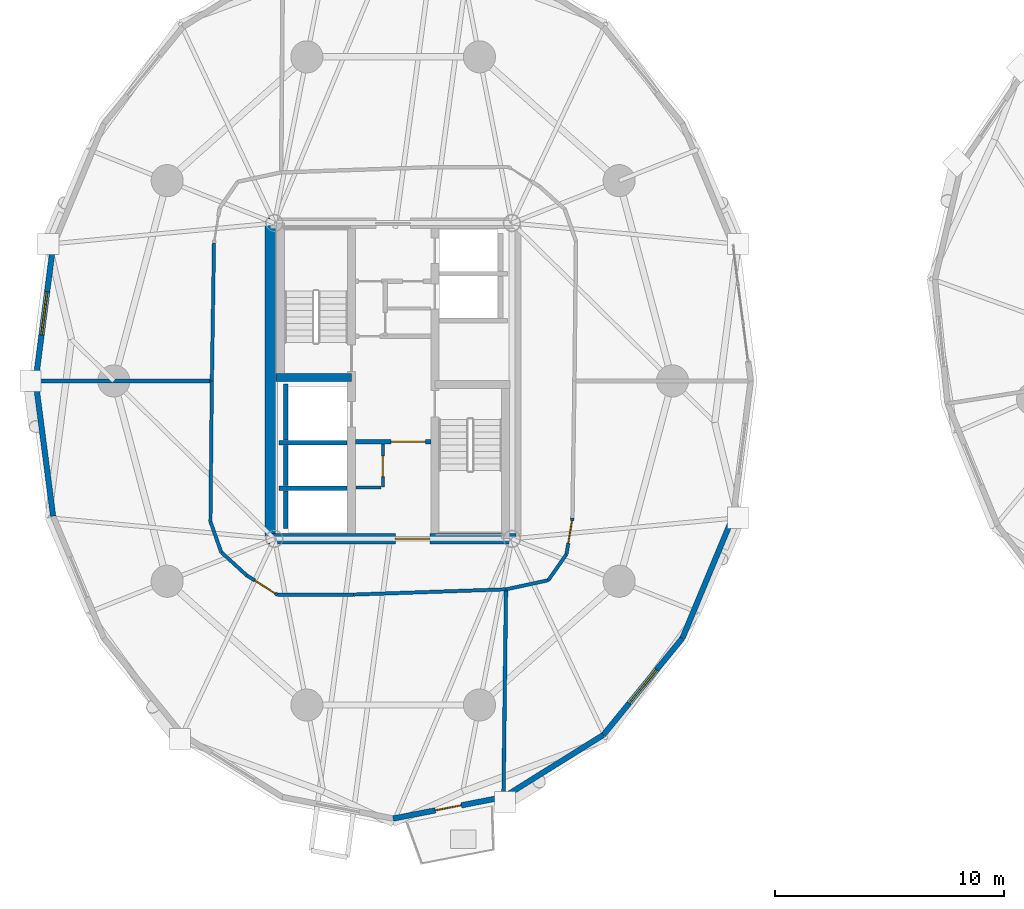
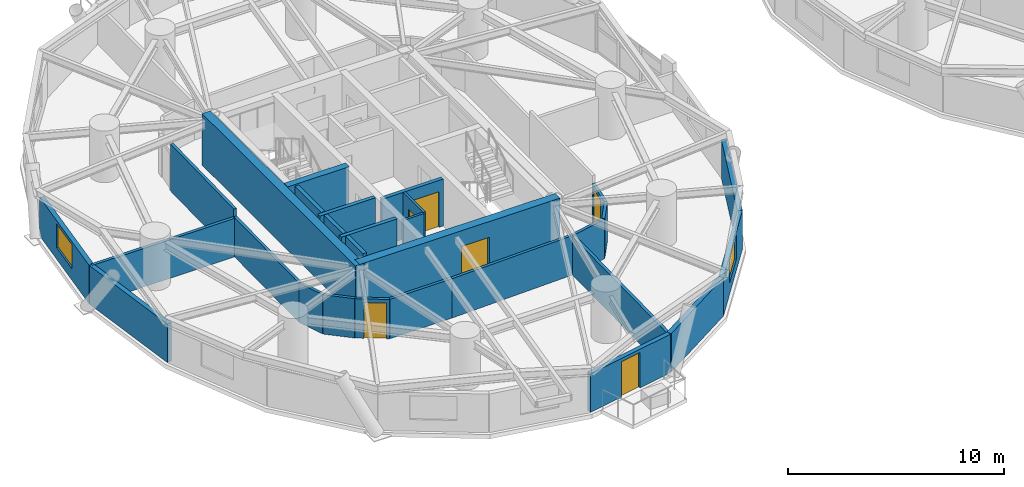
# One storey, part 10 of 18: 29 walls, 6 doors, 2 windows, 8 openings.
"""IFC4 building model written with IfcOpenShell, lengths in metres."""

from ifc_helpers import new_model, si_unit, direction, frame, frame_2d, origin, place, context, subcontext, project, spatial, rectangle, extrude, source, transform, mapped, material, layer, layer_set, type_object, element, fill, save


model = new_model("IFC4")

# Units and contexts
model_context = context("Model", 3, precision=1e-05, world=origin(), true_north=direction((0.0, 1.0)))
body_context = subcontext(model_context, "Body", "Model", "MODEL_VIEW")
ifc_project = project(units=[si_unit("LENGTHUNIT", "METRE"), si_unit("AREAUNIT", "SQUARE_METRE"), si_unit("VOLUMEUNIT", "CUBIC_METRE"), si_unit("PLANEANGLEUNIT", "RADIAN"), si_unit("MASSUNIT", "GRAM", prefix="KILO")], contexts=[model_context])

# Site, building, storey
site_placement = place(None, origin())
site = spatial("IfcSite", under=ifc_project, at=site_placement, CompositionType="ELEMENT")
building_placement = place(site_placement, origin())
building = spatial("IfcBuilding", under=site, at=building_placement, Name="Cununo Teusaquillo Station Towers", CompositionType="ELEMENT")
storey_placement = place(building_placement, frame((0.0, 0.0, 75.969970703125)))
storey = spatial("IfcBuildingStorey", under=building, at=storey_placement, Name="L23", CompositionType="ELEMENT", Elevation=75.969970703125)

# Walls
ifc_material_1 = material(Name="Concrete C50/60", Category="concrete")
ifc_layer_1 = layer(ifc_material_1, 0.199951171875)
ifc_layer_set_1 = layer_set([ifc_layer_1], Name="Concrete C50/60")
wall_type_1 = type_object("IfcWallType", Name="WL-CORE-200", PredefinedType="SHEAR", material=ifc_layer_set_1)
wall_1_placement = place(storey_placement, frame((11.52001953125, 21.800048828125, 0.0), z_axis=(0.0, 0.0, 1.0), x_axis=(1.0, 0.0, 0.0)))
element("IfcWall", 1, at=wall_1_placement, inside=storey, type_object=wall_type_1, Name="L23 Tower A Firefighting Lift Shaft South Shear Wall", PredefinedType="SHEAR", context=body_context, shape_type="SweptSolid", body=[
    extrude(rectangle(XDim=2.969970703125, YDim=0.199951171875, at=frame_2d((1.48486328125, 0.0))), origin(), (0.0, 0.0, 1.0), 2.909912109375),
])
wall_2_placement = place(storey_placement, frame((11.820068359375, 21.919921875, 0.0), z_axis=(0.0, 0.0, 1.0), x_axis=(0.0, 1.0, 0.0)))
element("IfcWall", 2, at=wall_2_placement, inside=storey, type_object=wall_type_1, Name="L23 Tower A Firefighting Lift Shaft Rear Shear Wall", PredefinedType="SHEAR", context=body_context, shape_type="SweptSolid", body=[
    extrude(rectangle(XDim=2.440185546875, YDim=0.199951171875, at=frame_2d((1.22021484375, 0.0))), origin(), (0.0, 0.0, 1.0), 2.909912109375),
])
wall_3_placement = place(storey_placement, frame((11.52001953125, 19.824951171875, 0.0), z_axis=(0.0, 0.0, 1.0), x_axis=(1.0, 0.0, 0.0)))
element("IfcWall", 3, at=wall_3_placement, inside=storey, type_object=wall_type_1, Name="L23 Tower A High-Rise Lift Hoistway Divider Shear Wall", PredefinedType="SHEAR", context=body_context, shape_type="SweptSolid", body=[
    extrude(rectangle(XDim=2.969970703125, YDim=0.199951171875, at=frame_2d((1.48486328125, 0.0))), origin(), (0.0, 0.0, 1.0), 2.909912109375),
])
wall_4_placement = place(storey_placement, frame((11.820068359375, 19.945068359375, 0.0), z_axis=(0.0, 0.0, 1.0), x_axis=(0.0, 1.0, 0.0)))
element("IfcWall", 4, at=wall_4_placement, inside=storey, type_object=wall_type_1, Name="L23 Tower A High-Rise Lift 2 Shaft Rear Shear Wall", PredefinedType="SHEAR", context=body_context, shape_type="SweptSolid", body=[
    extrude(rectangle(XDim=1.73486328125, YDim=0.199951171875, at=frame_2d((0.867431640625, 0.0))), origin(), (0.0, 0.0, 1.0), 2.909912109375),
])
wall_5_placement = place(storey_placement, frame((11.820068359375, 18.070068359375, 0.0), z_axis=(0.0, 0.0, 1.0), x_axis=(0.0, 1.0, 0.0)))
element("IfcWall", 5, at=wall_5_placement, inside=storey, type_object=wall_type_1, Name="L23 Tower A High-Rise Lift 1 Shaft Rear Shear Wall", PredefinedType="SHEAR", context=body_context, shape_type="SweptSolid", body=[
    extrude(rectangle(XDim=1.635009765625, YDim=0.199951171875, at=frame_2d((0.8173828125, 0.0))), origin(), (0.0, 0.0, 1.0), 2.909912109375),
])
ifc_material_2 = material(Name="Concrete C50/60", Category="concrete")
ifc_layer_2 = layer(ifc_material_2, 0.35009765625)
ifc_layer_set_2 = layer_set([ifc_layer_2], Name="Concrete C50/60")
wall_type_2 = type_object("IfcWallType", Name="WL-CORE-350", PredefinedType="SHEAR", material=ifc_layer_set_2)
wall_6_placement = place(storey_placement, frame((11.39990234375, 24.655029296875, 0.0), z_axis=(0.0, 0.0, 1.0), x_axis=(1.0, 0.0, 0.0)))
element("IfcWall", 6, at=wall_6_placement, inside=storey, type_object=wall_type_2, Name="L23 Tower A Core Shear Wall ST1S", PredefinedType="SHEAR", context=body_context, shape_type="SweptSolid", body=[
    extrude(rectangle(XDim=3.28515625, YDim=0.35009765625, at=frame_2d((1.642578125, 0.0))), origin(), (0.0, 0.0, 1.0), 2.909912109375),
])
ifc_material_3 = material(Name="Concrete C60/75", Category="concrete")
ifc_layer_3 = layer(ifc_material_3, 0.449951171875)
ifc_layer_set_3 = layer_set([ifc_layer_3], Name="Concrete C60/75")
wall_type_3 = type_object("IfcWallType", Name="WL-CORE-450", PredefinedType="SHEAR", material=ifc_layer_set_3)
wall_7_placement = place(storey_placement, frame((11.14990234375, 17.39990234375, 0.0), z_axis=(0.0, 0.0, 1.0), x_axis=(0.0, 1.0, 0.0)))
element("IfcWall", 7, at=wall_7_placement, inside=storey, type_object=wall_type_3, Name="L23 Tower A Core Shear Wall W", PredefinedType="SHEAR", context=body_context, shape_type="SweptSolid", body=[
    extrude(rectangle(XDim=14.2001953125, YDim=0.449951171875, at=frame_2d((7.10009765625, 0.0))), origin(), (0.0, 0.0, 1.0), 2.909912109375),
])

# Wall, opening, door
wall_8_placement = place(storey_placement, frame((11.14990234375, 17.625, 0.0), z_axis=(0.0, 0.0, 1.0), x_axis=(1.0, 0.0, 0.0)))
wall_8 = element("IfcWall", 8, at=wall_8_placement, inside=storey, type_object=wall_type_3, Name="L23 Tower A Core Shear Wall S", PredefinedType="SHEAR", context=body_context, shape_type="SweptSolid", body=[
    extrude(rectangle(XDim=10.7001953125, YDim=0.449951171875, at=frame_2d((5.35009765625, 0.0))), origin(), (0.0, 0.0, 1.0), 2.909912109375),
])
shared_shape_1 = source(origin(), body_context, "Body", "SweptSolid", [
    extrude(rectangle(XDim=1.5, YDim=2.02001953125, at=frame_2d((0.75, 1.010009765625))), frame((0.0, 0.23486328125, 0.0), z_axis=(0.0, -1.0, 0.0), x_axis=(1.0, 0.0, 0.0)), (0.0, 0.0, 1.0), 0.469970703125),
])
opening_1_placement = place(wall_8_placement, frame((5.449951171875, 0.0, 0.0)))
opening_1 = element("IfcOpeningElement", 9, at=opening_1_placement, cuts=wall_8, Name="Opening D-LB1", PredefinedType="OPENING", context=body_context, shape_type="MappedRepresentation", body=[
    mapped(shared_shape_1, transform((0.0, 0.0, 0.0), x_axis=(1.0, 0.0, 0.0), y_axis=(0.0, 1.0, 0.0), z_axis=(0.0, 0.0, 1.0), scale=1.0)),
])
ifc_material_4 = material(Name="Galvanised fire-rated hollow steel door assembly", Category="steel")
door_type_1 = type_object("IfcDoorType", Name="DR-LOBBY-1500", OperationType="DOUBLE_DOOR_SINGLE_SWING", PredefinedType="DOOR", material=ifc_material_4)
shared_shape_2 = source(origin(), body_context, "Body", "SweptSolid", [
    extrude(rectangle(XDim=1.5, YDim=2.02001953125, at=frame_2d((0.75, 1.010009765625))), frame((0.0, 0.02490234375, 0.0), z_axis=(0.0, -1.0, 0.0), x_axis=(1.0, 0.0, 0.0)), (0.0, 0.0, 1.0), 0.050048828125),
])
door_1_placement = place(opening_1_placement, origin())
door_1 = element("IfcDoor", 10, at=door_1_placement, inside=storey, type_object=door_type_1, Name="L23 Tower A South Core Lift Lobby Door", OperationType="DOUBLE_DOOR_SINGLE_SWING", OverallHeight=2.02001953125, OverallWidth=1.5, PredefinedType="DOOR", context=body_context, shape_type="MappedRepresentation", body=[
    mapped(shared_shape_2, transform((0.0, 0.0, 0.0), x_axis=(1.0, 0.0, 0.0), y_axis=(0.0, 1.0, 0.0), z_axis=(0.0, 0.0, 1.0), scale=1.0)),
])
fill(opening_1, door_1)

# Wall, opening, window
ifc_material_5 = material(Name="Precast concrete C40/50", Category="concrete")
ifc_layer_4 = layer(ifc_material_5, 0.239990234375)
ifc_layer_set_4 = layer_set([ifc_layer_4], Name="Precast concrete C40/50")
wall_type_4 = type_object("IfcWallType", Name="WL-EXT-240", PredefinedType="SOLIDWALL", material=ifc_layer_set_4)
wall_9_placement = place(storey_placement, frame((0.9189453125, 24.5, 0.0), z_axis=(0.0, 0.0, 1.0), x_axis=(0.128351991996, 0.991728675672, 0.0)))
wall_9 = element("IfcWall", 11, at=wall_9_placement, inside=storey, type_object=wall_type_4, Name="L23 Tower A Exterior Facade Wall C09", PredefinedType="SOLIDWALL", context=body_context, shape_type="SweptSolid", body=[
    extrude(rectangle(XDim=5.942138671875, YDim=0.239990234375, at=frame_2d((2.97119140625, 0.0))), origin(), (0.0, 0.0, 1.0), 2.178955078125),
])
shared_shape_3 = source(origin(), body_context, "Body", "SweptSolid", [
    extrude(rectangle(XDim=1.89990234375, YDim=1.35009765625, at=frame_2d((0.949951171875, 0.675048828125))), frame((0.0, 0.1298828125, 0.0), z_axis=(0.0, -1.0, 0.0), x_axis=(1.0, 0.0, 0.0)), (0.0, 0.0, 1.0), 0.260009765625),
])
opening_2_placement = place(wall_9_placement, frame((2.02099609375, 0.0, 0.64990234375)))
opening_2 = element("IfcOpeningElement", 12, at=opening_2_placement, cuts=wall_9, Name="Opening WN-02", PredefinedType="OPENING", context=body_context, shape_type="MappedRepresentation", body=[
    mapped(shared_shape_3, transform((0.0, 0.0, 0.0), x_axis=(1.0, 0.0, 0.0), y_axis=(0.0, 1.0, 0.0), z_axis=(0.0, 0.0, 1.0), scale=1.0)),
])
ifc_material_6 = material(Name="Operable acoustic tinted low-E double glazing", Category="glass")
window_type = type_object("IfcWindowType", Name="WIN-OPER-1900", PartitioningType="DOUBLE_PANEL_VERTICAL", PredefinedType="WINDOW", material=ifc_material_6)
shared_shape_4 = source(origin(), body_context, "Body", "SweptSolid", [
    extrude(rectangle(XDim=1.89990234375, YDim=1.35009765625, at=frame_2d((0.949951171875, 0.675048828125))), frame((0.0, 0.030029296875, 0.0), z_axis=(0.0, -1.0, 0.0), x_axis=(1.0, 0.0, 0.0)), (0.0, 0.0, 1.0), 0.06005859375),
])
window_1_placement = place(opening_2_placement, origin())
window_1 = element("IfcWindow", 13, at=window_1_placement, inside=storey, type_object=window_type, Name="L23 Tower A Facade Window C09", OverallHeight=1.35009765625, OverallWidth=1.89990234375, PartitioningType="DOUBLE_PANEL_VERTICAL", PredefinedType="WINDOW", context=body_context, shape_type="MappedRepresentation", body=[
    mapped(shared_shape_4, transform((0.0, 0.0, 0.0), x_axis=(1.0, 0.0, 0.0), y_axis=(0.0, 1.0, 0.0), z_axis=(0.0, 0.0, 1.0), scale=1.0)),
])
fill(opening_2, window_1)

# Wall
wall_10_placement = place(storey_placement, frame((1.681640625, 18.60693359375, 0.0), z_axis=(0.0, 0.0, 1.0), x_axis=(-0.128351991996, 0.991728675672, 0.0)))
element("IfcWall", 14, at=wall_10_placement, inside=storey, type_object=wall_type_4, Name="L23 Tower A Exterior Facade Wall C10", PredefinedType="SOLIDWALL", context=body_context, shape_type="SweptSolid", body=[
    extrude(rectangle(XDim=5.942138671875, YDim=0.239990234375, at=frame_2d((2.97119140625, 0.0))), origin(), (0.0, 0.0, 1.0), 2.178955078125),
])

# Wall, opening, door
wall_11_placement = place(storey_placement, frame((21.314697265625, 6.36328125, 0.0), z_axis=(0.0, 0.0, 1.0), x_axis=(-0.981723785992, -0.190311344954, 0.0)))
wall_11 = element("IfcWall", 15, at=wall_11_placement, inside=storey, type_object=wall_type_4, Name="L23 Tower A Exterior Facade Wall C15", PredefinedType="SOLIDWALL", context=body_context, shape_type="SweptSolid", body=[
    extrude(rectangle(XDim=4.904296875, YDim=0.239990234375, at=frame_2d((2.4521484375, 0.0))), origin(), (0.0, 0.0, 1.0), 2.178955078125),
])
shared_shape_5 = source(origin(), body_context, "Body", "SweptSolid", [
    extrude(rectangle(XDim=1.14990234375, YDim=2.0048828125, at=frame_2d((0.574951171875, 1.00244140625))), frame((0.0, 0.1298828125, 0.0), z_axis=(0.0, -1.0, 0.0), x_axis=(1.0, 0.0, 0.0)), (0.0, 0.0, 1.0), 0.260009765625),
])
opening_3_placement = place(wall_11_placement, frame((1.876953125, 0.0, 0.0)))
opening_3 = element("IfcOpeningElement", 16, at=opening_3_placement, cuts=wall_11, Name="Opening ED-03", PredefinedType="OPENING", context=body_context, shape_type="MappedRepresentation", body=[
    mapped(shared_shape_5, transform((0.0, 0.0, 0.0), x_axis=(1.0, 0.0, 0.0), y_axis=(0.0, 1.0, 0.0), z_axis=(0.0, 0.0, 1.0), scale=1.0)),
])
ifc_material_7 = material(Name="Anodised dark bronze aluminium EN AW-6063-T6", Category="aluminium")
door_type_2 = type_object("IfcDoorType", Name="DR-EXT-BAL", OperationType="NOTDEFINED", PredefinedType="DOOR", material=ifc_material_7)
shared_shape_6 = source(origin(), body_context, "Body", "SweptSolid", [
    extrude(rectangle(XDim=1.14990234375, YDim=2.0048828125, at=frame_2d((0.574951171875, 1.00244140625))), frame((0.0, 0.02490234375, 0.0), z_axis=(0.0, -1.0, 0.0), x_axis=(1.0, 0.0, 0.0)), (0.0, 0.0, 1.0), 0.050048828125),
])
door_2_placement = place(opening_3_placement, origin())
door_2 = element("IfcDoor", 17, at=door_2_placement, inside=storey, type_object=door_type_2, Name="L23 Tower A Tree Balcony Door C15", OperationType="SINGLE_SWING_LEFT", OverallHeight=2.0048828125, OverallWidth=1.14990234375, PredefinedType="DOOR", context=body_context, shape_type="MappedRepresentation", body=[
    mapped(shared_shape_6, transform((0.0, 0.0, 0.0), x_axis=(1.0, 0.0, 0.0), y_axis=(0.0, 1.0, 0.0), z_axis=(0.0, 0.0, 1.0), scale=1.0)),
])
fill(opening_3, door_2)

# Wall
wall_12_placement = place(storey_placement, frame((25.658203125, 9.072021484375, 0.0), z_axis=(0.0, 0.0, 1.0), x_axis=(-0.848520380187, -0.529162701263, 0.0)))
element("IfcWall", 18, at=wall_12_placement, inside=storey, type_object=wall_type_4, Name="L23 Tower A Exterior Facade Wall C16", PredefinedType="SOLIDWALL", context=body_context, shape_type="SweptSolid", body=[
    extrude(rectangle(XDim=5.118896484375, YDim=0.239990234375, at=frame_2d((2.5595703125, 0.0))), origin(), (0.0, 0.0, 1.0), 2.178955078125),
])

# Wall, opening, window
wall_13_placement = place(storey_placement, frame((29.105224609375, 13.291015625, 0.0), z_axis=(0.0, 0.0, 1.0), x_axis=(-0.632700781152, -0.77439635945, 0.0)))
wall_13 = element("IfcWall", 19, at=wall_13_placement, inside=storey, type_object=wall_type_4, Name="L23 Tower A Exterior Facade Wall C17", PredefinedType="SOLIDWALL", context=body_context, shape_type="SweptSolid", body=[
    extrude(rectangle(XDim=5.447998046875, YDim=0.239990234375, at=frame_2d((2.72412109375, 0.0))), origin(), (0.0, 0.0, 1.0), 2.178955078125),
])
opening_4_placement = place(wall_13_placement, frame((1.77392578125, 0.0, 0.64990234375)))
opening_4 = element("IfcOpeningElement", 20, at=opening_4_placement, cuts=wall_13, Name="Opening WN-02", PredefinedType="OPENING", context=body_context, shape_type="MappedRepresentation", body=[
    mapped(shared_shape_3, transform((0.0, 0.0, 0.0), x_axis=(1.0, 0.0, 0.0), y_axis=(0.0, 1.0, 0.0), z_axis=(0.0, 0.0, 1.0), scale=1.0)),
])
window_2_placement = place(opening_4_placement, origin())
window_2 = element("IfcWindow", 21, at=window_2_placement, inside=storey, type_object=window_type, Name="L23 Tower A Facade Window C17", OverallHeight=1.35009765625, OverallWidth=1.89990234375, PartitioningType="DOUBLE_PANEL_VERTICAL", PredefinedType="WINDOW", context=body_context, shape_type="MappedRepresentation", body=[
    mapped(shared_shape_4, transform((0.0, 0.0, 0.0), x_axis=(1.0, 0.0, 0.0), y_axis=(0.0, 1.0, 0.0), z_axis=(0.0, 0.0, 1.0), scale=1.0)),
])
fill(opening_4, window_2)

# Wall
wall_14_placement = place(storey_placement, frame((31.318359375, 18.60693359375, 0.0), z_axis=(0.0, 0.0, 1.0), x_axis=(-0.384344417632, -0.923189779317, 0.0)))
element("IfcWall", 22, at=wall_14_placement, inside=storey, type_object=wall_type_4, Name="L23 Tower A Exterior Facade Wall C18", PredefinedType="SOLIDWALL", context=body_context, shape_type="SweptSolid", body=[
    extrude(rectangle(XDim=5.75830078125, YDim=0.239990234375, at=frame_2d((2.879150390625, 0.0))), origin(), (0.0, 0.0, 1.0), 2.178955078125),
])

# Wall, opening, door
ifc_material_8 = material(Name="Fire-rated gypsum plasterboard partition assembly", Category="gypsum")
ifc_layer_5 = layer(ifc_material_8, 0.125)
ifc_layer_set_5 = layer_set([ifc_layer_5], Name="Fire-rated gypsum plasterboard partition assembly")
wall_type_5 = type_object("IfcWallType", Name="WL-PART-125", PredefinedType="PARTITIONING", material=ifc_layer_set_5)
wall_15_placement = place(storey_placement, frame((16.050048828125, 19.8798828125, 0.0), z_axis=(0.0, 0.0, 1.0), x_axis=(0.0, 1.0, 0.0)))
wall_15 = element("IfcWall", 23, at=wall_15_placement, inside=storey, type_object=wall_type_5, Name="L23 Tower A North-West Lobby Store East Wall", PredefinedType="PARTITIONING", context=body_context, shape_type="SweptSolid", body=[
    extrude(rectangle(XDim=1.8701171875, YDim=0.125, at=frame_2d((0.93505859375, 0.0))), origin(), (0.0, 0.0, 1.0), 2.655029296875),
])
shared_shape_7 = source(origin(), body_context, "Body", "SweptSolid", [
    extrude(rectangle(XDim=0.89990234375, YDim=2.0048828125, at=frame_2d((0.449951171875, 1.00244140625))), frame((0.0, 0.072509765625, 0.0), z_axis=(0.0, -1.0, 0.0), x_axis=(1.0, 0.0, 0.0)), (0.0, 0.0, 1.0), 0.14501953125),
])
opening_5_placement = place(wall_15_placement, frame((0.449951171875, 0.0, 0.0)))
opening_5 = element("IfcOpeningElement", 24, at=opening_5_placement, cuts=wall_15, Name="Opening D-SR1", PredefinedType="OPENING", context=body_context, shape_type="MappedRepresentation", body=[
    mapped(shared_shape_7, transform((0.0, 0.0, 0.0), x_axis=(1.0, 0.0, 0.0), y_axis=(0.0, 1.0, 0.0), z_axis=(0.0, 0.0, 1.0), scale=1.0)),
])
ifc_material_9 = material(Name="Galvanised fire-rated hollow steel door assembly", Category="steel")
door_type_3 = type_object("IfcDoorType", Name="DR-STORE-900", OperationType="NOTDEFINED", PredefinedType="DOOR", material=ifc_material_9)
shared_shape_8 = source(origin(), body_context, "Body", "SweptSolid", [
    extrude(rectangle(XDim=0.89990234375, YDim=2.0048828125, at=frame_2d((0.449951171875, 1.00244140625))), frame((0.0, 0.02490234375, 0.0), z_axis=(0.0, -1.0, 0.0), x_axis=(1.0, 0.0, 0.0)), (0.0, 0.0, 1.0), 0.050048828125),
])
door_3_placement = place(opening_5_placement, origin())
door_3 = element("IfcDoor", 25, at=door_3_placement, inside=storey, type_object=door_type_3, Name="L23 Tower A South Lobby Data Store Door", OperationType="SINGLE_SWING_LEFT", OverallHeight=2.0048828125, OverallWidth=0.89990234375, PredefinedType="DOOR", context=body_context, shape_type="MappedRepresentation", body=[
    mapped(shared_shape_8, transform((0.0, 0.0, 0.0), x_axis=(1.0, 0.0, 0.0), y_axis=(0.0, 1.0, 0.0), z_axis=(0.0, 0.0, 1.0), scale=1.0)),
])
fill(opening_5, door_3)

# Walls
wall_16_placement = place(storey_placement, frame((14.8798828125, 19.85009765625, 0.0), z_axis=(0.0, 0.0, 1.0), x_axis=(1.0, 0.0, 0.0)))
element("IfcWall", 26, at=wall_16_placement, inside=storey, type_object=wall_type_5, Name="L23 Tower A North-West Lobby Store South Wall", PredefinedType="PARTITIONING", context=body_context, shape_type="SweptSolid", body=[
    extrude(rectangle(XDim=1.10009765625, YDim=0.125, at=frame_2d((0.550048828125, 0.0))), origin(), (0.0, 0.0, 1.0), 2.655029296875),
])
ifc_material_10 = material(Name="Fire-rated gypsum plasterboard partition assembly", Category="gypsum")
ifc_layer_6 = layer(ifc_material_10, 0.14990234375)
ifc_layer_set_6 = layer_set([ifc_layer_6], Name="Fire-rated gypsum plasterboard partition assembly")
wall_type_6 = type_object("IfcWallType", Name="WL-PART-150", PredefinedType="PARTITIONING", material=ifc_layer_set_6)
wall_17_placement = place(storey_placement, frame((8.692626953125, 30.51171875, 0.0), z_axis=(0.0, 0.0, 1.0), x_axis=(-0.015389665197, -0.99988157209, 0.0)))
element("IfcWall", 27, at=wall_17_placement, inside=storey, type_object=wall_type_6, Name="L23 Tower A Corridor Ring Wall C09", PredefinedType="PARTITIONING", context=body_context, shape_type="SweptSolid", body=[
    extrude(rectangle(XDim=6.012451171875, YDim=0.14990234375, at=frame_2d((3.00634765625, 0.0))), origin(), (0.0, 0.0, 1.0), 2.655029296875),
])
wall_18_placement = place(storey_placement, frame((8.60009765625, 24.5, 0.0), z_axis=(0.0, 0.0, 1.0), x_axis=(-0.010076760723, -0.999949228158, 0.0)))
element("IfcWall", 28, at=wall_18_placement, inside=storey, type_object=wall_type_6, Name="L23 Tower A Corridor Ring Wall C10", PredefinedType="PARTITIONING", context=body_context, shape_type="SweptSolid", body=[
    extrude(rectangle(XDim=6.129638671875, YDim=0.14990234375, at=frame_2d((3.06494140625, 0.0))), origin(), (0.0, 0.0, 1.0), 2.22509765625),
])
wall_19_placement = place(storey_placement, frame((8.538330078125, 18.37060546875, 0.0), z_axis=(0.0, 0.0, 1.0), x_axis=(0.3330273821, -0.942917155837, 0.0)))
element("IfcWall", 29, at=wall_19_placement, inside=storey, type_object=wall_type_6, Name="L23 Tower A Corridor Ring Wall C11", PredefinedType="PARTITIONING", context=body_context, shape_type="SweptSolid", body=[
    extrude(rectangle(XDim=1.4169921875, YDim=0.14990234375, at=frame_2d((0.70849609375, 0.0))), origin(), (0.0, 0.0, 1.0), 2.22509765625),
])
wall_20_placement = place(storey_placement, frame((9.01025390625, 17.034423828125, 0.0), z_axis=(0.0, 0.0, 1.0), x_axis=(0.739733009791, -0.672900493554, 0.0)))
element("IfcWall", 30, at=wall_20_placement, inside=storey, type_object=wall_type_6, Name="L23 Tower A Corridor Ring Wall C12", PredefinedType="PARTITIONING", context=body_context, shape_type="SweptSolid", body=[
    extrude(rectangle(XDim=1.494140625, YDim=0.14990234375, at=frame_2d((0.7470703125, 0.0))), origin(), (0.0, 0.0, 1.0), 2.22509765625),
])

# Wall, opening, door
wall_21_placement = place(storey_placement, frame((10.115478515625, 16.029052734375, 0.0), z_axis=(0.0, 0.0, 1.0), x_axis=(0.844897677802, -0.534927952201, 0.0)))
wall_21 = element("IfcWall", 31, at=wall_21_placement, inside=storey, type_object=wall_type_6, Name="L23 Tower A Corridor Ring Wall C13", PredefinedType="PARTITIONING", context=body_context, shape_type="SweptSolid", body=[
    extrude(rectangle(XDim=1.591064453125, YDim=0.14990234375, at=frame_2d((0.79541015625, 0.0))), origin(), (0.0, 0.0, 1.0), 2.22509765625),
])
shared_shape_9 = source(origin(), body_context, "Body", "SweptSolid", [
    extrude(rectangle(XDim=1.050048828125, YDim=2.014892578125, at=frame_2d((0.52490234375, 1.00732421875))), frame((0.0, 0.0849609375, 0.0), z_axis=(0.0, -1.0, 0.0), x_axis=(1.0, 0.0, 0.0)), (0.0, 0.0, 1.0), 0.169921875),
])
opening_6_placement = place(wall_21_placement, frame((0.421142578125, 0.0, 0.0)))
opening_6 = element("IfcOpeningElement", 32, at=opening_6_placement, cuts=wall_21, Name="Opening D-SU1", PredefinedType="OPENING", context=body_context, shape_type="MappedRepresentation", body=[
    mapped(shared_shape_9, transform((0.0, 0.0, 0.0), x_axis=(1.0, 0.0, 0.0), y_axis=(0.0, 1.0, 0.0), z_axis=(0.0, 0.0, 1.0), scale=1.0)),
])
ifc_material_11 = material(Name="Acoustic solid-core hardwood leaf assembly", Category="wood")
door_type_4 = type_object("IfcDoorType", Name="DR-SUITE-1050", OperationType="NOTDEFINED", PredefinedType="DOOR", material=ifc_material_11)
shared_shape_10 = source(origin(), body_context, "Body", "SweptSolid", [
    extrude(rectangle(XDim=1.050048828125, YDim=2.014892578125, at=frame_2d((0.52490234375, 1.00732421875))), frame((0.0, 0.02490234375, 0.0), z_axis=(0.0, -1.0, 0.0), x_axis=(1.0, 0.0, 0.0)), (0.0, 0.0, 1.0), 0.050048828125),
])
door_4_placement = place(opening_6_placement, origin())
door_4 = element("IfcDoor", 33, at=door_4_placement, inside=storey, type_object=door_type_4, Name="L23 Tower A South Client Reception & Boardroom Lounge Entrance Door", OperationType="SINGLE_SWING_RIGHT", OverallHeight=2.014892578125, OverallWidth=1.050048828125, PredefinedType="DOOR", context=body_context, shape_type="MappedRepresentation", body=[
    mapped(shared_shape_10, transform((0.0, 0.0, 0.0), x_axis=(1.0, 0.0, 0.0), y_axis=(0.0, 1.0, 0.0), z_axis=(0.0, 0.0, 1.0), scale=1.0)),
])
fill(opening_6, door_4)

# Walls
wall_22_placement = place(storey_placement, frame((11.459716796875, 15.177978515625, 0.0), z_axis=(0.0, 0.0, 1.0), x_axis=(0.999992694689, 0.003822377251, 0.0)))
element("IfcWall", 34, at=wall_22_placement, inside=storey, type_object=wall_type_6, Name="L23 Tower A Corridor Ring Wall C14", PredefinedType="PARTITIONING", context=body_context, shape_type="SweptSolid", body=[
    extrude(rectangle(XDim=3.3212890625, YDim=0.14990234375, at=frame_2d((1.66064453125, 0.0))), origin(), (0.0, 0.0, 1.0), 2.22509765625),
])
wall_23_placement = place(storey_placement, frame((14.781005859375, 15.190673828125, 0.0), z_axis=(0.0, 0.0, 1.0), x_axis=(0.999412963972, 0.034259705842, 0.0)))
element("IfcWall", 35, at=wall_23_placement, inside=storey, type_object=wall_type_6, Name="L23 Tower A Corridor Ring Wall C15", PredefinedType="PARTITIONING", context=body_context, shape_type="SweptSolid", body=[
    extrude(rectangle(XDim=6.6416015625, YDim=0.14990234375, at=frame_2d((3.32080078125, 0.0))), origin(), (0.0, 0.0, 1.0), 2.22509765625),
])
wall_24_placement = place(storey_placement, frame((21.418701171875, 15.418212890625, 0.0), z_axis=(0.0, 0.0, 1.0), x_axis=(0.977540384091, 0.210748184977, 0.0)))
element("IfcWall", 36, at=wall_24_placement, inside=storey, type_object=wall_type_6, Name="L23 Tower A Corridor Ring Wall C16", PredefinedType="PARTITIONING", context=body_context, shape_type="SweptSolid", body=[
    extrude(rectangle(XDim=1.88720703125, YDim=0.14990234375, at=frame_2d((0.943603515625, 0.0))), origin(), (0.0, 0.0, 1.0), 2.22509765625),
])
wall_25_placement = place(storey_placement, frame((23.263427734375, 15.81591796875, 0.0), z_axis=(0.0, 0.0, 1.0), x_axis=(0.572652947117, 0.819797903241, 0.0)))
element("IfcWall", 37, at=wall_25_placement, inside=storey, type_object=wall_type_6, Name="L23 Tower A Corridor Ring Wall C17", PredefinedType="PARTITIONING", context=body_context, shape_type="SweptSolid", body=[
    extrude(rectangle(XDim=1.376953125, YDim=0.14990234375, at=frame_2d((0.6884765625, 0.0))), origin(), (0.0, 0.0, 1.0), 2.22509765625),
])

# Wall, opening, door
wall_26_placement = place(storey_placement, frame((24.052001953125, 16.94482421875, 0.0), z_axis=(0.0, 0.0, 1.0), x_axis=(0.162869842843, 0.986647563364, 0.0)))
wall_26 = element("IfcWall", 38, at=wall_26_placement, inside=storey, type_object=wall_type_6, Name="L23 Tower A Corridor Ring Wall C18", PredefinedType="PARTITIONING", context=body_context, shape_type="SweptSolid", body=[
    extrude(rectangle(XDim=1.60546875, YDim=0.14990234375, at=frame_2d((0.802734375, 0.0))), origin(), (0.0, 0.0, 1.0), 2.22509765625),
])
shared_shape_11 = source(origin(), body_context, "Body", "SweptSolid", [
    extrude(rectangle(XDim=1.0, YDim=2.014892578125, at=frame_2d((0.5, 1.00732421875))), frame((0.0, 0.0849609375, 0.0), z_axis=(0.0, -1.0, 0.0), x_axis=(1.0, 0.0, 0.0)), (0.0, 0.0, 1.0), 0.169921875),
])
opening_7_placement = place(wall_26_placement, frame((0.4853515625, 0.0, 0.0)))
opening_7 = element("IfcOpeningElement", 39, at=opening_7_placement, cuts=wall_26, Name="Opening D-AC1", PredefinedType="OPENING", context=body_context, shape_type="MappedRepresentation", body=[
    mapped(shared_shape_11, transform((0.0, 0.0, 0.0), x_axis=(1.0, 0.0, 0.0), y_axis=(0.0, 1.0, 0.0), z_axis=(0.0, 0.0, 1.0), scale=1.0)),
])
ifc_material_12 = material(Name="Acoustic solid-core hardwood leaf assembly", Category="wood")
door_type_5 = type_object("IfcDoorType", Name="DR-ACC-1000", OperationType="NOTDEFINED", PredefinedType="DOOR", material=ifc_material_12)
shared_shape_12 = source(origin(), body_context, "Body", "SweptSolid", [
    extrude(rectangle(XDim=1.0, YDim=2.014892578125, at=frame_2d((0.5, 1.00732421875))), frame((0.0, 0.02490234375, 0.0), z_axis=(0.0, -1.0, 0.0), x_axis=(1.0, 0.0, 0.0)), (0.0, 0.0, 1.0), 0.050048828125),
])
door_5_placement = place(opening_7_placement, origin())
door_5 = element("IfcDoor", 40, at=door_5_placement, inside=storey, type_object=door_type_5, Name="L23 Tower A Public Accessible Restroom WC Entrance Door", OperationType="SINGLE_SWING_LEFT", OverallHeight=2.014892578125, OverallWidth=1.0, PredefinedType="DOOR", context=body_context, shape_type="MappedRepresentation", body=[
    mapped(shared_shape_12, transform((0.0, 0.0, 0.0), x_axis=(1.0, 0.0, 0.0), y_axis=(0.0, 1.0, 0.0), z_axis=(0.0, 0.0, 1.0), scale=1.0)),
])
fill(opening_7, door_5)

# Walls
ifc_material_13 = material(Name="Fire-rated gypsum plasterboard partition assembly", Category="gypsum")
ifc_layer_7 = layer(ifc_material_13, 0.159912109375)
ifc_layer_set_7 = layer_set([ifc_layer_7], Name="Fire-rated gypsum plasterboard partition assembly")
wall_type_7 = type_object("IfcWallType", Name="WL-PART-160", PredefinedType="PARTITIONING", material=ifc_layer_set_7)
wall_27_placement = place(storey_placement, frame((8.60009765625, 24.5, 0.0), z_axis=(0.0, 0.0, 1.0), x_axis=(-1.0, 0.0, 0.0)))
element("IfcWall", 41, at=wall_27_placement, inside=storey, type_object=wall_type_7, Name="L23 Tower A Radial Suite Partition R03", PredefinedType="PARTITIONING", context=body_context, shape_type="SweptSolid", body=[
    extrude(rectangle(XDim=7.6611328125, YDim=0.159912109375, at=frame_2d((3.83056640625, 0.0))), origin(), (0.0, 0.0, 1.0), 2.178955078125),
])
wall_28_placement = place(storey_placement, frame((21.418701171875, 15.418212890625, 0.0), z_axis=(0.0, 0.0, 1.0), x_axis=(-0.012184661849, -0.999925764252, 0.0)))
element("IfcWall", 42, at=wall_28_placement, inside=storey, type_object=wall_type_7, Name="L23 Tower A Radial Suite Partition R04", PredefinedType="PARTITIONING", context=body_context, shape_type="SweptSolid", body=[
    extrude(rectangle(XDim=9.03662109375, YDim=0.159912109375, at=frame_2d((4.518310546875, 0.0))), origin(), (0.0, 0.0, 1.0), 2.178955078125),
])

# Wall, opening, door
ifc_material_14 = material(Name="Fire-rated gypsum plasterboard partition assembly", Category="gypsum")
ifc_layer_8 = layer(ifc_material_14, 0.199951171875)
ifc_layer_set_8 = layer_set([ifc_layer_8], Name="Fire-rated gypsum plasterboard partition assembly")
wall_type_8 = type_object("IfcWallType", Name="WL-PART-200", PredefinedType="PARTITIONING", material=ifc_layer_set_8)
wall_29_placement = place(storey_placement, frame((14.860107421875, 21.85009765625, 0.0), z_axis=(0.0, 0.0, 1.0), x_axis=(1.0, 0.0, 0.0)))
wall_29 = element("IfcWall", 43, at=wall_29_placement, inside=storey, type_object=wall_type_8, Name="L23 Tower A Firefighting Lift Lobby South Fire Wall", PredefinedType="PARTITIONING", context=body_context, shape_type="SweptSolid", body=[
    extrude(rectangle(XDim=3.27978515625, YDim=0.199951171875, at=frame_2d((1.639892578125, 0.0))), origin(), (0.0, 0.0, 1.0), 2.655029296875),
])
shared_shape_13 = source(origin(), body_context, "Body", "SweptSolid", [
    extrude(rectangle(XDim=1.5, YDim=2.02001953125, at=frame_2d((0.75, 1.010009765625))), frame((0.0, 0.10986328125, 0.0), z_axis=(0.0, -1.0, 0.0), x_axis=(1.0, 0.0, 0.0)), (0.0, 0.0, 1.0), 0.219970703125),
])
opening_8_placement = place(wall_29_placement, frame((1.550048828125, 0.0, 0.0)))
opening_8 = element("IfcOpeningElement", 44, at=opening_8_placement, cuts=wall_29, Name="Opening D-LB1", PredefinedType="OPENING", context=body_context, shape_type="MappedRepresentation", body=[
    mapped(shared_shape_13, transform((0.0, 0.0, 0.0), x_axis=(1.0, 0.0, 0.0), y_axis=(0.0, 1.0, 0.0), z_axis=(0.0, 0.0, 1.0), scale=1.0)),
])
door_6_placement = place(opening_8_placement, origin())
door_6 = element("IfcDoor", 45, at=door_6_placement, inside=storey, type_object=door_type_1, Name="L23 Tower A Firefighting Lift Lobby South Fire Door", OperationType="DOUBLE_DOOR_SINGLE_SWING", OverallHeight=2.02001953125, OverallWidth=1.5, PredefinedType="DOOR", context=body_context, shape_type="MappedRepresentation", body=[
    mapped(shared_shape_2, transform((0.0, 0.0, 0.0), x_axis=(1.0, 0.0, 0.0), y_axis=(0.0, 1.0, 0.0), z_axis=(0.0, 0.0, 1.0), scale=1.0)),
])
fill(opening_8, door_6)

save(model, "model.ifc")
